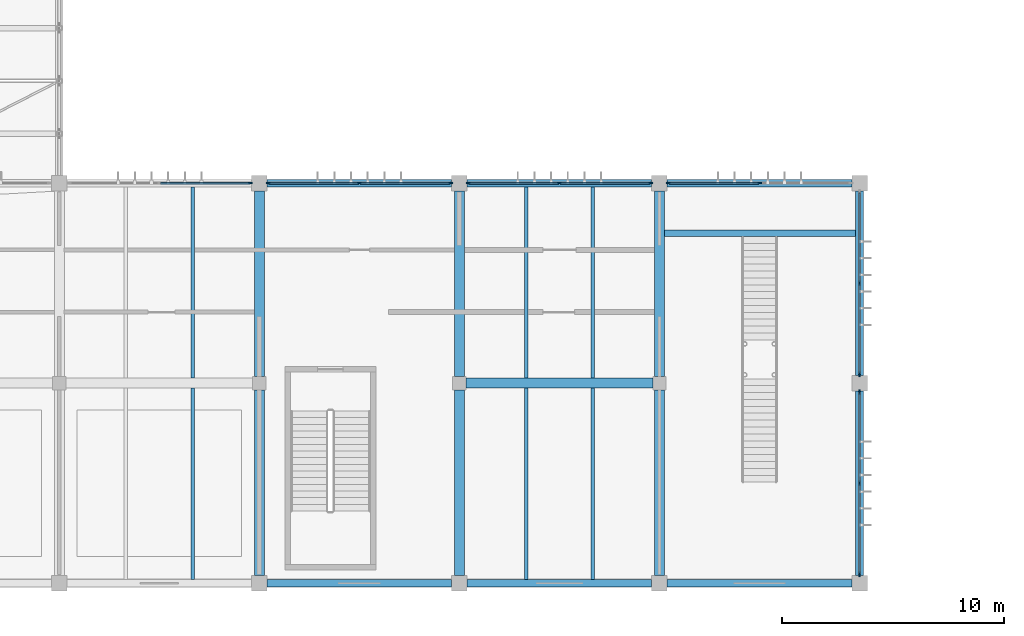
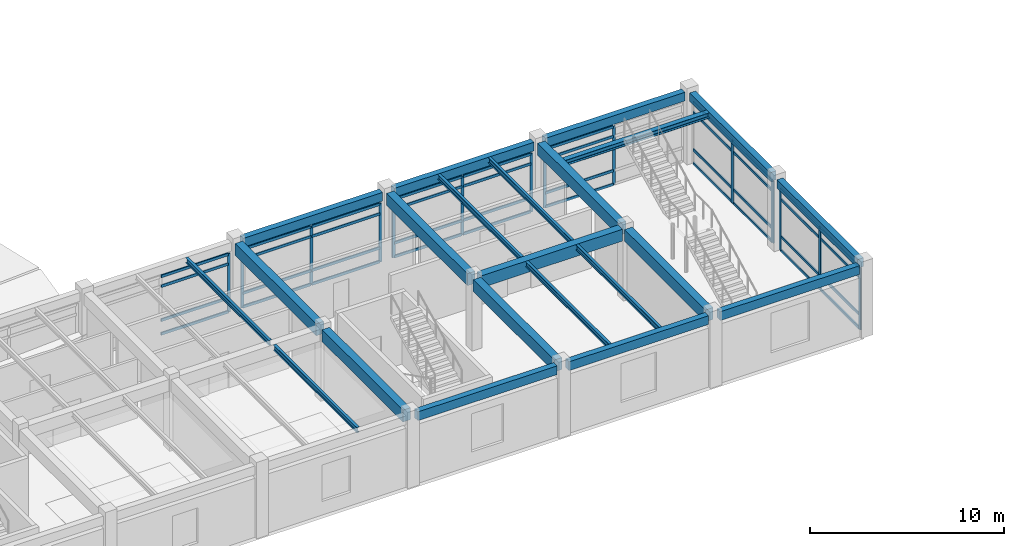
# One storey, part 13 of 61: 54 members, 22 beams, 6 elements without a shape of their own.
"""IFC4 building model written with IfcOpenShell, lengths in metres."""

from ifc_helpers import new_model, si_unit, direction, frame, origin, origin_2d, place, context, subcontext, project, spatial, rectangle, i_section, extrude, material, material_profile, profile_set, type_object, element, aggregate, save


model = new_model("IFC4")

# Units and contexts
model_context = context("Model", 3, precision=1e-05, world=origin(), true_north=direction((0.0, 1.0)))
body_context = subcontext(model_context, "Body", "Model", "MODEL_VIEW")
ifc_project = project(units=[si_unit("LENGTHUNIT", "METRE"), si_unit("AREAUNIT", "SQUARE_METRE"), si_unit("VOLUMEUNIT", "CUBIC_METRE"), si_unit("PLANEANGLEUNIT", "RADIAN"), si_unit("MASSUNIT", "GRAM", prefix="KILO")], contexts=[model_context])

# Site, building, storey
site_placement = place(None, origin())
site = spatial("IfcSite", under=ifc_project, at=site_placement, CompositionType="ELEMENT")
building_placement = place(site_placement, origin())
building = spatial("IfcBuilding", under=site, at=building_placement, Name="Bozkorgan Art Gallery", CompositionType="ELEMENT")
storey_placement = place(building_placement, frame((0.0, 0.0, 10.199951171875)))
storey = spatial("IfcBuildingStorey", under=building, at=storey_placement, Name="L02", CompositionType="ELEMENT", Elevation=10.199951171875)

# Beams
ifc_material_1 = material(Name="Concrete C35/45", Category="concrete")
ifc_material_profile_1 = material_profile(ifc_material_1, rectangle(XDim=0.449951171875, YDim=0.75, at=origin_2d()), Name="RC 450x750")
ifc_profile_set_1 = profile_set([ifc_material_profile_1], Name="Concrete C35/45")
beam_type_1 = type_object("IfcBeamType", Name="BEAM-BM-27", PredefinedType="BEAM", material=ifc_profile_set_1)
beam_1_placement = place(storey_placement, frame((47.300048828125, 11.0, 4.10498046875), z_axis=(1.0, 0.0, 0.0), x_axis=(0.0, 1.0, 0.0)))
element("IfcBeam", 1, at=beam_1_placement, inside=storey, type_object=beam_type_1, Name="V1 L02 beam X (47-56, 11.0)", PredefinedType="BEAM", context=body_context, shape_type="SweptSolid", body=[
    extrude(rectangle(XDim=0.449951171875, YDim=0.75, at=origin_2d()), origin(), (0.0, 0.0, 1.0), 8.39990234375),
])
for number, where, z_axis, x_axis, name in (
    (2, (38.0, 2.35009765625, 4.10498046875), (0.0, 1.0, 0.0), (-1.0, 0.0, 0.0), "V1 L02 beam Y (38, 2.0-11.0)"),
    (3, (38.0, 11.300048828125, 4.10498046875), (0.0, 1.0, 0.0), (-1.0, 0.0, 0.0), "V1 L02 beam Y (38, 11.0-20.0)"),
    (4, (47.0, 2.35009765625, 4.10498046875), (0.0, 1.0, 0.0), (-1.0, 0.0, 0.0), "V1 L02 beam Y (47, 2.0-11.0)"),
    (5, (47.0, 11.300048828125, 4.10498046875), (0.0, 1.0, 0.0), (-1.0, 0.0, 0.0), "V1 L02 beam Y (47, 11.0-20.0)"),
    (6, (56.0, 2.35009765625, 4.10498046875), (0.0, 1.0, 0.0), (-1.0, 0.0, 0.0), "V1 L02 beam Y (56, 2.0-11.0)"),
    (7, (56.0, 11.300048828125, 4.10498046875), (0.0, 1.0, 0.0), (-1.0, 0.0, 0.0), "V1 L02 beam Y (56, 11.0-20.0)"),
):
    element("IfcBeam", number, at=place(storey_placement, frame(where, z_axis=z_axis, x_axis=x_axis)), inside=storey, type_object=beam_type_1, Name=name, PredefinedType="BEAM", context=body_context, shape_type="SweptSolid", body=[
        extrude(rectangle(XDim=0.449951171875, YDim=0.75, at=origin_2d()), origin(), (0.0, 0.0, 1.0), 8.349853515625),
    ])
ifc_material_2 = material(Name="Steel S355J2", Category="steel")
ifc_material_profile_2 = material_profile(ifc_material_2, i_section(OverallWidth=0.159912109375, OverallDepth=0.330078125, WebThickness=0.007568359375, FlangeThickness=0.011474609375, FilletRadius=0.01806640625, at=origin_2d()), Name="IPE 330")
ifc_profile_set_2 = profile_set([ifc_material_profile_2], Name="Steel S355J2")
beam_type_2 = type_object("IfcBeamType", Name="BEAM-JS-33", PredefinedType="JOIST", material=ifc_profile_set_2)
for number, where, z_axis, x_axis, name in (
    (8, (35.0, 2.175048828125, 4.31494140625), (0.0, 1.0, 0.0), (-1.0, 0.0, 0.0), "V1 L02 secondary joist (29-38, 2.0-11.0) #2"),
    (9, (35.0, 11.22509765625, 4.31494140625), (0.0, 1.0, 0.0), (-1.0, 0.0, 0.0), "V1 L02 secondary joist (29-38, 11.0-20.0) #2"),
    (10, (50.0, 2.175048828125, 4.31494140625), (0.0, 1.0, 0.0), (-1.0, 0.0, 0.0), "V1 L02 secondary joist (47-56, 2.0-11.0) #1"),
    (11, (53.0, 2.175048828125, 4.31494140625), (0.0, 1.0, 0.0), (-1.0, 0.0, 0.0), "V1 L02 secondary joist (47-56, 2.0-11.0) #2"),
    (12, (50.0, 11.22509765625, 4.31494140625), (0.0, 1.0, 0.0), (-1.0, 0.0, 0.0), "V1 L02 secondary joist (47-56, 11.0-20.0) #1"),
    (13, (53.0, 11.22509765625, 4.31494140625), (0.0, 1.0, 0.0), (-1.0, 0.0, 0.0), "V1 L02 secondary joist (47-56, 11.0-20.0) #2"),
):
    element("IfcBeam", number, at=place(storey_placement, frame(where, z_axis=z_axis, x_axis=x_axis)), inside=storey, type_object=beam_type_2, Name=name, PredefinedType="JOIST", context=body_context, shape_type="SweptSolid", body=[
        extrude(i_section(OverallWidth=0.159912109375, OverallDepth=0.330078125, WebThickness=0.007568359375, FlangeThickness=0.011474609375, FilletRadius=0.01806640625, at=origin_2d()), origin(), (0.0, 0.0, 1.0), 8.599853515625),
    ])
ifc_material_profile_3 = material_profile(ifc_material_1, rectangle(XDim=0.35009765625, YDim=0.550048828125, at=origin_2d()), Name="RC 350x550")
ifc_profile_set_3 = profile_set([ifc_material_profile_3], Name="Concrete C35/45")
beam_type_3 = type_object("IfcBeamType", Name="BEAM-SP-49", PredefinedType="SPANDREL", material=ifc_profile_set_3)
for number, where, z_axis, x_axis, name in (
    (14, (38.35009765625, 2.0, 4.205078125), (1.0, 0.0, 0.0), (0.0, 1.0, 0.0), "V1 L02 spandrel X (38-47, 2.0)"),
    (15, (47.35009765625, 2.0, 4.205078125), (1.0, 0.0, 0.0), (0.0, 1.0, 0.0), "V1 L02 spandrel X (47-56, 2.0)"),
    (16, (56.35009765625, 2.0, 4.205078125), (1.0, 0.0, 0.0), (0.0, 1.0, 0.0), "V1 L02 spandrel X (56-65, 2.0)"),
    (17, (38.35009765625, 20.0, 4.205078125), (1.0, 0.0, 0.0), (0.0, 1.0, 0.0), "V1 L02 spandrel X (38-47, 20.0)"),
    (18, (47.35009765625, 20.0, 4.205078125), (1.0, 0.0, 0.0), (0.0, 1.0, 0.0), "V1 L02 spandrel X (47-56, 20.0)"),
    (19, (56.35009765625, 20.0, 4.205078125), (1.0, 0.0, 0.0), (0.0, 1.0, 0.0), "V1 L02 spandrel X (56-65, 20.0)"),
    (20, (65.0, 2.35009765625, 4.205078125), (0.0, 1.0, 0.0), (-1.0, 0.0, 0.0), "V1 L02 spandrel Y (65, 2.0-11.0)"),
    (21, (65.0, 11.35009765625, 4.205078125), (0.0, 1.0, 0.0), (-1.0, 0.0, 0.0), "V1 L02 spandrel Y (65, 11.0-20.0)"),
):
    element("IfcBeam", number, at=place(storey_placement, frame(where, z_axis=z_axis, x_axis=x_axis)), inside=storey, type_object=beam_type_3, Name=name, PredefinedType="SPANDREL", context=body_context, shape_type="SweptSolid", body=[
        extrude(rectangle(XDim=0.35009765625, YDim=0.550048828125, at=origin_2d()), origin(), (0.0, 0.0, 1.0), 8.2998046875),
    ])
ifc_material_profile_4 = material_profile(ifc_material_2, i_section(OverallWidth=0.300048828125, OverallDepth=0.35009765625, WebThickness=0.010009765625, FlangeThickness=0.017578125, FilletRadius=0.027099609375, at=origin_2d()), Name="HEA 360")
ifc_profile_set_4 = profile_set([ifc_material_profile_4], Name="Steel S355J2")
beam_type_4 = type_object("IfcBeamType", Name="BM-ATR-TRIM", PredefinedType="BEAM", material=ifc_profile_set_4)
beam_2_placement = place(storey_placement, frame((56.22509765625, 17.75, 4.304931640625), z_axis=(1.0, 0.0, 0.0), x_axis=(0.0, 1.0, 0.0)))
element("IfcBeam", 22, at=beam_2_placement, inside=storey, type_object=beam_type_4, Name="ST8 upper arrival trimmer beam", PredefinedType="BEAM", context=body_context, shape_type="SweptSolid", body=[
    extrude(i_section(OverallWidth=0.300048828125, OverallDepth=0.35009765625, WebThickness=0.010009765625, FlangeThickness=0.017578125, FilletRadius=0.027099609375, at=origin_2d()), origin(), (0.0, 0.0, 1.0), 8.599853515625),
])

# Curtain wall, member
ifc_material_3 = material(Name="Anodised Bronze Aluminium", Category="aluminium")
curtain_wall_type_1 = type_object("IfcCurtainWallType", Name="CW-CW-01", PredefinedType="NOTDEFINED", material=ifc_material_3)
curtain_wall_1_placement = place(storey_placement, origin())
curtain_wall_1 = element("IfcCurtainWall", 23, at=curtain_wall_1_placement, inside=storey, type_object=curtain_wall_type_1, Name="L02 unitised curtain wall CW-V1-L02-1N-08", PredefinedType="NOTDEFINED")
ifc_material_profile_5 = material_profile(ifc_material_3, rectangle(XDim=0.06494140625, YDim=0.179931640625, at=origin_2d()), Name="ALU MULLION 65x180")
ifc_profile_set_5 = profile_set([ifc_material_profile_5], Name="Anodised Bronze Aluminium")
member_type_1 = type_object("IfcMemberType", Name="CWM-01", PredefinedType="MULLION", material=ifc_profile_set_5)
member_1_placement = place(storey_placement, frame((37.6025390625, 20.0, 0.02001953125), z_axis=(0.0, 0.0, 1.0), x_axis=(0.0, 1.0, 0.0)))
member_1 = element("IfcMember", 24, at=member_1_placement, type_object=member_type_1, Name="CW-01 mullion 3", PredefinedType="MULLION", context=body_context, shape_type="SweptSolid", body=[
    extrude(rectangle(XDim=0.06494140625, YDim=0.179931640625, at=origin_2d()), origin(), (0.0, 0.0, 1.0), 3.695068359375),
])

# Curtain wall, members
curtain_wall_type_2 = type_object("IfcCurtainWallType", Name="CW-CW-61", PredefinedType="NOTDEFINED", material=ifc_material_3)
curtain_wall_2_placement = place(storey_placement, origin())
curtain_wall_2 = element("IfcCurtainWall", 25, at=curtain_wall_2_placement, inside=storey, type_object=curtain_wall_type_2, Name="L02 unitised curtain wall CW-V1-L02-1N-10", PredefinedType="NOTDEFINED")
member_2_placement = place(storey_placement, frame((38.3974609375, 20.0, 0.02001953125), z_axis=(0.0, 0.0, 1.0), x_axis=(0.0, 1.0, 0.0)))
member_2 = element("IfcMember", 26, at=member_2_placement, type_object=member_type_1, Name="CW-61 mullion 1", PredefinedType="MULLION", context=body_context, shape_type="SweptSolid", body=[
    extrude(rectangle(XDim=0.06494140625, YDim=0.179931640625, at=origin_2d()), origin(), (0.0, 0.0, 1.0), 3.695068359375),
])
member_3_placement = place(storey_placement, frame((42.5, 20.0, 0.02001953125), z_axis=(0.0, 0.0, 1.0), x_axis=(0.0, 1.0, 0.0)))
member_3 = element("IfcMember", 27, at=member_3_placement, type_object=member_type_1, Name="CW-61 mullion 2", PredefinedType="MULLION", context=body_context, shape_type="SweptSolid", body=[
    extrude(rectangle(XDim=0.06494140625, YDim=0.179931640625, at=origin_2d()), origin(), (0.0, 0.0, 1.0), 3.695068359375),
])
member_4_placement = place(storey_placement, frame((46.6025390625, 20.0, 0.02001953125), z_axis=(0.0, 0.0, 1.0), x_axis=(0.0, 1.0, 0.0)))
member_4 = element("IfcMember", 28, at=member_4_placement, type_object=member_type_1, Name="CW-61 mullion 3", PredefinedType="MULLION", context=body_context, shape_type="SweptSolid", body=[
    extrude(rectangle(XDim=0.06494140625, YDim=0.179931640625, at=origin_2d()), origin(), (0.0, 0.0, 1.0), 3.695068359375),
])

curtain_wall_3_placement = place(storey_placement, origin())
curtain_wall_3 = element("IfcCurtainWall", 29, at=curtain_wall_3_placement, inside=storey, type_object=curtain_wall_type_2, Name="L02 unitised curtain wall CW-V1-L02-1N-12", PredefinedType="NOTDEFINED")
member_5_placement = place(storey_placement, frame((47.3974609375, 20.0, 0.02001953125), z_axis=(0.0, 0.0, 1.0), x_axis=(0.0, 1.0, 0.0)))
member_5 = element("IfcMember", 30, at=member_5_placement, type_object=member_type_1, Name="CW-61 mullion 1", PredefinedType="MULLION", context=body_context, shape_type="SweptSolid", body=[
    extrude(rectangle(XDim=0.06494140625, YDim=0.179931640625, at=origin_2d()), origin(), (0.0, 0.0, 1.0), 3.695068359375),
])
member_6_placement = place(storey_placement, frame((51.5, 20.0, 0.02001953125), z_axis=(0.0, 0.0, 1.0), x_axis=(0.0, 1.0, 0.0)))
member_6 = element("IfcMember", 31, at=member_6_placement, type_object=member_type_1, Name="CW-61 mullion 2", PredefinedType="MULLION", context=body_context, shape_type="SweptSolid", body=[
    extrude(rectangle(XDim=0.06494140625, YDim=0.179931640625, at=origin_2d()), origin(), (0.0, 0.0, 1.0), 3.695068359375),
])
member_7_placement = place(storey_placement, frame((55.6025390625, 20.0, 0.02001953125), z_axis=(0.0, 0.0, 1.0), x_axis=(0.0, 1.0, 0.0)))
member_7 = element("IfcMember", 32, at=member_7_placement, type_object=member_type_1, Name="CW-61 mullion 3", PredefinedType="MULLION", context=body_context, shape_type="SweptSolid", body=[
    extrude(rectangle(XDim=0.06494140625, YDim=0.179931640625, at=origin_2d()), origin(), (0.0, 0.0, 1.0), 3.695068359375),
])

curtain_wall_4_placement = place(storey_placement, origin())
curtain_wall_4 = element("IfcCurtainWall", 33, at=curtain_wall_4_placement, inside=storey, type_object=curtain_wall_type_2, Name="L02 unitised curtain wall CW-V1-L02-1N-14", PredefinedType="NOTDEFINED")
member_8_placement = place(storey_placement, frame((56.3974609375, 20.0, 0.02001953125), z_axis=(0.0, 0.0, 1.0), x_axis=(0.0, 1.0, 0.0)))
member_8 = element("IfcMember", 34, at=member_8_placement, type_object=member_type_1, Name="CW-61 mullion 1", PredefinedType="MULLION", context=body_context, shape_type="SweptSolid", body=[
    extrude(rectangle(XDim=0.06494140625, YDim=0.179931640625, at=origin_2d()), origin(), (0.0, 0.0, 1.0), 3.695068359375),
])
member_9_placement = place(storey_placement, frame((60.5, 20.0, 0.02001953125), z_axis=(0.0, 0.0, 1.0), x_axis=(0.0, 1.0, 0.0)))
member_9 = element("IfcMember", 35, at=member_9_placement, type_object=member_type_1, Name="CW-61 mullion 2", PredefinedType="MULLION", context=body_context, shape_type="SweptSolid", body=[
    extrude(rectangle(XDim=0.06494140625, YDim=0.179931640625, at=origin_2d()), origin(), (0.0, 0.0, 1.0), 3.695068359375),
])

curtain_wall_type_3 = type_object("IfcCurtainWallType", Name="CW-CW-11", PredefinedType="NOTDEFINED", material=ifc_material_3)
curtain_wall_5_placement = place(storey_placement, origin())
curtain_wall_5 = element("IfcCurtainWall", 36, at=curtain_wall_5_placement, inside=storey, type_object=curtain_wall_type_3, Name="L02 unitised curtain wall CW-V1-L02-1E-16", PredefinedType="NOTDEFINED")
ifc_material_profile_6 = material_profile(ifc_material_3, rectangle(XDim=0.074951171875, YDim=0.219970703125, at=origin_2d()), Name="ALU MULLION 75x220")
ifc_profile_set_6 = profile_set([ifc_material_profile_6], Name="Anodised Bronze Aluminium")
member_type_2 = type_object("IfcMemberType", Name="CWM-02", PredefinedType="MULLION", material=ifc_profile_set_6)
member_10_placement = place(storey_placement, frame((65.0, 2.402587890625, 0.02001953125), z_axis=(0.0, 0.0, 1.0), x_axis=(-1.0, 0.0, 0.0)))
member_10 = element("IfcMember", 37, at=member_10_placement, type_object=member_type_2, Name="CW-11 mullion 1", PredefinedType="MULLION", context=body_context, shape_type="SweptSolid", body=[
    extrude(rectangle(XDim=0.074951171875, YDim=0.219970703125, at=origin_2d()), origin(), (0.0, 0.0, 1.0), 3.89501953125),
])
member_11_placement = place(storey_placement, frame((65.0, 6.5, 0.02001953125), z_axis=(0.0, 0.0, 1.0), x_axis=(-1.0, 0.0, 0.0)))
member_11 = element("IfcMember", 38, at=member_11_placement, type_object=member_type_2, Name="CW-11 mullion 2", PredefinedType="MULLION", context=body_context, shape_type="SweptSolid", body=[
    extrude(rectangle(XDim=0.074951171875, YDim=0.219970703125, at=origin_2d()), origin(), (0.0, 0.0, 1.0), 3.89501953125),
])
member_12_placement = place(storey_placement, frame((65.0, 10.597412109375, 0.02001953125), z_axis=(0.0, 0.0, 1.0), x_axis=(-1.0, 0.0, 0.0)))
member_12 = element("IfcMember", 39, at=member_12_placement, type_object=member_type_2, Name="CW-11 mullion 3", PredefinedType="MULLION", context=body_context, shape_type="SweptSolid", body=[
    extrude(rectangle(XDim=0.074951171875, YDim=0.219970703125, at=origin_2d()), origin(), (0.0, 0.0, 1.0), 3.89501953125),
])

curtain_wall_6_placement = place(storey_placement, origin())
curtain_wall_6 = element("IfcCurtainWall", 40, at=curtain_wall_6_placement, inside=storey, type_object=curtain_wall_type_3, Name="L02 unitised curtain wall CW-V1-L02-1E-18", PredefinedType="NOTDEFINED")
member_13_placement = place(storey_placement, frame((65.0, 11.402587890625, 0.02001953125), z_axis=(0.0, 0.0, 1.0), x_axis=(-1.0, 0.0, 0.0)))
member_13 = element("IfcMember", 41, at=member_13_placement, type_object=member_type_2, Name="CW-11 mullion 1", PredefinedType="MULLION", context=body_context, shape_type="SweptSolid", body=[
    extrude(rectangle(XDim=0.074951171875, YDim=0.219970703125, at=origin_2d()), origin(), (0.0, 0.0, 1.0), 3.89501953125),
])
member_14_placement = place(storey_placement, frame((65.0, 15.5, 0.02001953125), z_axis=(0.0, 0.0, 1.0), x_axis=(-1.0, 0.0, 0.0)))
member_14 = element("IfcMember", 42, at=member_14_placement, type_object=member_type_2, Name="CW-11 mullion 2", PredefinedType="MULLION", context=body_context, shape_type="SweptSolid", body=[
    extrude(rectangle(XDim=0.074951171875, YDim=0.219970703125, at=origin_2d()), origin(), (0.0, 0.0, 1.0), 3.89501953125),
])

# Member
ifc_material_profile_7 = material_profile(ifc_material_3, rectangle(XDim=0.074951171875, YDim=0.169921875, at=origin_2d()), Name="ALU TRANSOM 75x170")
ifc_profile_set_7 = profile_set([ifc_material_profile_7], Name="Anodised Bronze Aluminium")
member_type_3 = type_object("IfcMemberType", Name="CWT-02", PredefinedType="USERDEFINED", material=ifc_profile_set_7)
member_15_placement = place(storey_placement, frame((33.5576171875, 20.0, 0.0576171875), z_axis=(1.0, 0.0, 0.0), x_axis=(0.0, 1.0, 0.0)))
member_15 = element("IfcMember", 43, at=member_15_placement, type_object=member_type_3, Name="CW-01 transom 2.1", ObjectType="TRANSOM", PredefinedType="USERDEFINED", context=body_context, shape_type="SweptSolid", body=[
    extrude(rectangle(XDim=0.074951171875, YDim=0.169921875, at=origin_2d()), origin(), (0.0, 0.0, 1.0), 4.012451171875),
])

member_16_placement = place(storey_placement, frame((33.5576171875, 20.0, 0.920166015625), z_axis=(1.0, 0.0, 0.0), x_axis=(0.0, 1.0, 0.0)))
member_16 = element("IfcMember", 44, at=member_16_placement, type_object=member_type_3, Name="CW-01 transom 2.2", ObjectType="TRANSOM", PredefinedType="USERDEFINED", context=body_context, shape_type="SweptSolid", body=[
    extrude(rectangle(XDim=0.074951171875, YDim=0.169921875, at=origin_2d()), origin(), (0.0, 0.0, 1.0), 4.012451171875),
])

member_17_placement = place(storey_placement, frame((33.5576171875, 20.0, 3.06494140625), z_axis=(1.0, 0.0, 0.0), x_axis=(0.0, 1.0, 0.0)))
member_17 = element("IfcMember", 45, at=member_17_placement, type_object=member_type_3, Name="CW-01 transom 2.3", ObjectType="TRANSOM", PredefinedType="USERDEFINED", context=body_context, shape_type="SweptSolid", body=[
    extrude(rectangle(XDim=0.074951171875, YDim=0.169921875, at=origin_2d()), origin(), (0.0, 0.0, 1.0), 4.012451171875),
])

member_18_placement = place(storey_placement, frame((33.5576171875, 20.0, 3.677490234375), z_axis=(1.0, 0.0, 0.0), x_axis=(0.0, 1.0, 0.0)))
member_18 = element("IfcMember", 46, at=member_18_placement, type_object=member_type_3, Name="CW-01 transom 2.4", ObjectType="TRANSOM", PredefinedType="USERDEFINED", context=body_context, shape_type="SweptSolid", body=[
    extrude(rectangle(XDim=0.074951171875, YDim=0.169921875, at=origin_2d()), origin(), (0.0, 0.0, 1.0), 4.012451171875),
])

aggregate(curtain_wall_1, [member_1, member_15, member_16, member_17, member_18])

member_19_placement = place(storey_placement, frame((38.429931640625, 20.0, 0.0576171875), z_axis=(1.0, 0.0, 0.0), x_axis=(0.0, 1.0, 0.0)))
member_19 = element("IfcMember", 47, at=member_19_placement, type_object=member_type_3, Name="CW-61 transom 1.1", ObjectType="TRANSOM", PredefinedType="USERDEFINED", context=body_context, shape_type="SweptSolid", body=[
    extrude(rectangle(XDim=0.074951171875, YDim=0.169921875, at=origin_2d()), origin(), (0.0, 0.0, 1.0), 4.03759765625),
])

member_20_placement = place(storey_placement, frame((38.429931640625, 20.0, 0.920166015625), z_axis=(1.0, 0.0, 0.0), x_axis=(0.0, 1.0, 0.0)))
member_20 = element("IfcMember", 48, at=member_20_placement, type_object=member_type_3, Name="CW-61 transom 1.2", ObjectType="TRANSOM", PredefinedType="USERDEFINED", context=body_context, shape_type="SweptSolid", body=[
    extrude(rectangle(XDim=0.074951171875, YDim=0.169921875, at=origin_2d()), origin(), (0.0, 0.0, 1.0), 4.03759765625),
])

member_21_placement = place(storey_placement, frame((38.429931640625, 20.0, 3.06494140625), z_axis=(1.0, 0.0, 0.0), x_axis=(0.0, 1.0, 0.0)))
member_21 = element("IfcMember", 49, at=member_21_placement, type_object=member_type_3, Name="CW-61 transom 1.3", ObjectType="TRANSOM", PredefinedType="USERDEFINED", context=body_context, shape_type="SweptSolid", body=[
    extrude(rectangle(XDim=0.074951171875, YDim=0.169921875, at=origin_2d()), origin(), (0.0, 0.0, 1.0), 4.03759765625),
])

member_22_placement = place(storey_placement, frame((38.429931640625, 20.0, 3.677490234375), z_axis=(1.0, 0.0, 0.0), x_axis=(0.0, 1.0, 0.0)))
member_22 = element("IfcMember", 50, at=member_22_placement, type_object=member_type_3, Name="CW-61 transom 1.4", ObjectType="TRANSOM", PredefinedType="USERDEFINED", context=body_context, shape_type="SweptSolid", body=[
    extrude(rectangle(XDim=0.074951171875, YDim=0.169921875, at=origin_2d()), origin(), (0.0, 0.0, 1.0), 4.03759765625),
])

member_23_placement = place(storey_placement, frame((42.532470703125, 20.0, 0.0576171875), z_axis=(1.0, 0.0, 0.0), x_axis=(0.0, 1.0, 0.0)))
member_23 = element("IfcMember", 51, at=member_23_placement, type_object=member_type_3, Name="CW-61 transom 2.1", ObjectType="TRANSOM", PredefinedType="USERDEFINED", context=body_context, shape_type="SweptSolid", body=[
    extrude(rectangle(XDim=0.074951171875, YDim=0.169921875, at=origin_2d()), origin(), (0.0, 0.0, 1.0), 4.03759765625),
])

member_24_placement = place(storey_placement, frame((42.532470703125, 20.0, 0.920166015625), z_axis=(1.0, 0.0, 0.0), x_axis=(0.0, 1.0, 0.0)))
member_24 = element("IfcMember", 52, at=member_24_placement, type_object=member_type_3, Name="CW-61 transom 2.2", ObjectType="TRANSOM", PredefinedType="USERDEFINED", context=body_context, shape_type="SweptSolid", body=[
    extrude(rectangle(XDim=0.074951171875, YDim=0.169921875, at=origin_2d()), origin(), (0.0, 0.0, 1.0), 4.03759765625),
])

member_25_placement = place(storey_placement, frame((42.532470703125, 20.0, 3.06494140625), z_axis=(1.0, 0.0, 0.0), x_axis=(0.0, 1.0, 0.0)))
member_25 = element("IfcMember", 53, at=member_25_placement, type_object=member_type_3, Name="CW-61 transom 2.3", ObjectType="TRANSOM", PredefinedType="USERDEFINED", context=body_context, shape_type="SweptSolid", body=[
    extrude(rectangle(XDim=0.074951171875, YDim=0.169921875, at=origin_2d()), origin(), (0.0, 0.0, 1.0), 4.03759765625),
])

member_26_placement = place(storey_placement, frame((42.532470703125, 20.0, 3.677490234375), z_axis=(1.0, 0.0, 0.0), x_axis=(0.0, 1.0, 0.0)))
member_26 = element("IfcMember", 54, at=member_26_placement, type_object=member_type_3, Name="CW-61 transom 2.4", ObjectType="TRANSOM", PredefinedType="USERDEFINED", context=body_context, shape_type="SweptSolid", body=[
    extrude(rectangle(XDim=0.074951171875, YDim=0.169921875, at=origin_2d()), origin(), (0.0, 0.0, 1.0), 4.03759765625),
])

aggregate(curtain_wall_2, [member_2, member_3, member_4, member_19, member_20, member_21, member_22, member_23, member_24, member_25, member_26])

member_27_placement = place(storey_placement, frame((47.429931640625, 20.0, 0.0576171875), z_axis=(1.0, 0.0, 0.0), x_axis=(0.0, 1.0, 0.0)))
member_27 = element("IfcMember", 55, at=member_27_placement, type_object=member_type_3, Name="CW-61 transom 1.1", ObjectType="TRANSOM", PredefinedType="USERDEFINED", context=body_context, shape_type="SweptSolid", body=[
    extrude(rectangle(XDim=0.074951171875, YDim=0.169921875, at=origin_2d()), origin(), (0.0, 0.0, 1.0), 4.03759765625),
])

member_28_placement = place(storey_placement, frame((47.429931640625, 20.0, 0.920166015625), z_axis=(1.0, 0.0, 0.0), x_axis=(0.0, 1.0, 0.0)))
member_28 = element("IfcMember", 56, at=member_28_placement, type_object=member_type_3, Name="CW-61 transom 1.2", ObjectType="TRANSOM", PredefinedType="USERDEFINED", context=body_context, shape_type="SweptSolid", body=[
    extrude(rectangle(XDim=0.074951171875, YDim=0.169921875, at=origin_2d()), origin(), (0.0, 0.0, 1.0), 4.03759765625),
])

member_29_placement = place(storey_placement, frame((47.429931640625, 20.0, 3.06494140625), z_axis=(1.0, 0.0, 0.0), x_axis=(0.0, 1.0, 0.0)))
member_29 = element("IfcMember", 57, at=member_29_placement, type_object=member_type_3, Name="CW-61 transom 1.3", ObjectType="TRANSOM", PredefinedType="USERDEFINED", context=body_context, shape_type="SweptSolid", body=[
    extrude(rectangle(XDim=0.074951171875, YDim=0.169921875, at=origin_2d()), origin(), (0.0, 0.0, 1.0), 4.03759765625),
])

member_30_placement = place(storey_placement, frame((47.429931640625, 20.0, 3.677490234375), z_axis=(1.0, 0.0, 0.0), x_axis=(0.0, 1.0, 0.0)))
member_30 = element("IfcMember", 58, at=member_30_placement, type_object=member_type_3, Name="CW-61 transom 1.4", ObjectType="TRANSOM", PredefinedType="USERDEFINED", context=body_context, shape_type="SweptSolid", body=[
    extrude(rectangle(XDim=0.074951171875, YDim=0.169921875, at=origin_2d()), origin(), (0.0, 0.0, 1.0), 4.03759765625),
])

member_31_placement = place(storey_placement, frame((51.532470703125, 20.0, 0.0576171875), z_axis=(1.0, 0.0, 0.0), x_axis=(0.0, 1.0, 0.0)))
member_31 = element("IfcMember", 59, at=member_31_placement, type_object=member_type_3, Name="CW-61 transom 2.1", ObjectType="TRANSOM", PredefinedType="USERDEFINED", context=body_context, shape_type="SweptSolid", body=[
    extrude(rectangle(XDim=0.074951171875, YDim=0.169921875, at=origin_2d()), origin(), (0.0, 0.0, 1.0), 4.03759765625),
])

member_32_placement = place(storey_placement, frame((51.532470703125, 20.0, 0.920166015625), z_axis=(1.0, 0.0, 0.0), x_axis=(0.0, 1.0, 0.0)))
member_32 = element("IfcMember", 60, at=member_32_placement, type_object=member_type_3, Name="CW-61 transom 2.2", ObjectType="TRANSOM", PredefinedType="USERDEFINED", context=body_context, shape_type="SweptSolid", body=[
    extrude(rectangle(XDim=0.074951171875, YDim=0.169921875, at=origin_2d()), origin(), (0.0, 0.0, 1.0), 4.03759765625),
])

member_33_placement = place(storey_placement, frame((51.532470703125, 20.0, 3.06494140625), z_axis=(1.0, 0.0, 0.0), x_axis=(0.0, 1.0, 0.0)))
member_33 = element("IfcMember", 61, at=member_33_placement, type_object=member_type_3, Name="CW-61 transom 2.3", ObjectType="TRANSOM", PredefinedType="USERDEFINED", context=body_context, shape_type="SweptSolid", body=[
    extrude(rectangle(XDim=0.074951171875, YDim=0.169921875, at=origin_2d()), origin(), (0.0, 0.0, 1.0), 4.03759765625),
])

member_34_placement = place(storey_placement, frame((51.532470703125, 20.0, 3.677490234375), z_axis=(1.0, 0.0, 0.0), x_axis=(0.0, 1.0, 0.0)))
member_34 = element("IfcMember", 62, at=member_34_placement, type_object=member_type_3, Name="CW-61 transom 2.4", ObjectType="TRANSOM", PredefinedType="USERDEFINED", context=body_context, shape_type="SweptSolid", body=[
    extrude(rectangle(XDim=0.074951171875, YDim=0.169921875, at=origin_2d()), origin(), (0.0, 0.0, 1.0), 4.03759765625),
])

aggregate(curtain_wall_3, [member_5, member_6, member_7, member_27, member_28, member_29, member_30, member_31, member_32, member_33, member_34])

member_35_placement = place(storey_placement, frame((56.429931640625, 20.0, 0.0576171875), z_axis=(1.0, 0.0, 0.0), x_axis=(0.0, 1.0, 0.0)))
member_35 = element("IfcMember", 63, at=member_35_placement, type_object=member_type_3, Name="CW-61 transom 1.1", ObjectType="TRANSOM", PredefinedType="USERDEFINED", context=body_context, shape_type="SweptSolid", body=[
    extrude(rectangle(XDim=0.074951171875, YDim=0.169921875, at=origin_2d()), origin(), (0.0, 0.0, 1.0), 4.03759765625),
])

member_36_placement = place(storey_placement, frame((56.429931640625, 20.0, 0.920166015625), z_axis=(1.0, 0.0, 0.0), x_axis=(0.0, 1.0, 0.0)))
member_36 = element("IfcMember", 64, at=member_36_placement, type_object=member_type_3, Name="CW-61 transom 1.2", ObjectType="TRANSOM", PredefinedType="USERDEFINED", context=body_context, shape_type="SweptSolid", body=[
    extrude(rectangle(XDim=0.074951171875, YDim=0.169921875, at=origin_2d()), origin(), (0.0, 0.0, 1.0), 4.03759765625),
])

member_37_placement = place(storey_placement, frame((56.429931640625, 20.0, 3.06494140625), z_axis=(1.0, 0.0, 0.0), x_axis=(0.0, 1.0, 0.0)))
member_37 = element("IfcMember", 65, at=member_37_placement, type_object=member_type_3, Name="CW-61 transom 1.3", ObjectType="TRANSOM", PredefinedType="USERDEFINED", context=body_context, shape_type="SweptSolid", body=[
    extrude(rectangle(XDim=0.074951171875, YDim=0.169921875, at=origin_2d()), origin(), (0.0, 0.0, 1.0), 4.03759765625),
])

member_38_placement = place(storey_placement, frame((56.429931640625, 20.0, 3.677490234375), z_axis=(1.0, 0.0, 0.0), x_axis=(0.0, 1.0, 0.0)))
member_38 = element("IfcMember", 66, at=member_38_placement, type_object=member_type_3, Name="CW-61 transom 1.4", ObjectType="TRANSOM", PredefinedType="USERDEFINED", context=body_context, shape_type="SweptSolid", body=[
    extrude(rectangle(XDim=0.074951171875, YDim=0.169921875, at=origin_2d()), origin(), (0.0, 0.0, 1.0), 4.03759765625),
])

aggregate(curtain_wall_4, [member_8, member_9, member_35, member_36, member_37, member_38])

member_39_placement = place(storey_placement, frame((65.0, 2.43994140625, 0.0576171875), z_axis=(0.0, 1.0, 0.0), x_axis=(-1.0, 0.0, 0.0)))
member_39 = element("IfcMember", 67, at=member_39_placement, type_object=member_type_3, Name="CW-11 transom 1.1", ObjectType="TRANSOM", PredefinedType="USERDEFINED", context=body_context, shape_type="SweptSolid", body=[
    extrude(rectangle(XDim=0.074951171875, YDim=0.169921875, at=origin_2d()), origin(), (0.0, 0.0, 1.0), 4.0224609375),
])

member_40_placement = place(storey_placement, frame((65.0, 2.43994140625, 0.920166015625), z_axis=(0.0, 1.0, 0.0), x_axis=(-1.0, 0.0, 0.0)))
member_40 = element("IfcMember", 68, at=member_40_placement, type_object=member_type_3, Name="CW-11 transom 1.2", ObjectType="TRANSOM", PredefinedType="USERDEFINED", context=body_context, shape_type="SweptSolid", body=[
    extrude(rectangle(XDim=0.074951171875, YDim=0.169921875, at=origin_2d()), origin(), (0.0, 0.0, 1.0), 4.0224609375),
])

member_41_placement = place(storey_placement, frame((65.0, 2.43994140625, 3.26513671875), z_axis=(0.0, 1.0, 0.0), x_axis=(-1.0, 0.0, 0.0)))
member_41 = element("IfcMember", 69, at=member_41_placement, type_object=member_type_3, Name="CW-11 transom 1.3", ObjectType="TRANSOM", PredefinedType="USERDEFINED", context=body_context, shape_type="SweptSolid", body=[
    extrude(rectangle(XDim=0.074951171875, YDim=0.169921875, at=origin_2d()), origin(), (0.0, 0.0, 1.0), 4.0224609375),
])

member_42_placement = place(storey_placement, frame((65.0, 2.43994140625, 3.87744140625), z_axis=(0.0, 1.0, 0.0), x_axis=(-1.0, 0.0, 0.0)))
member_42 = element("IfcMember", 70, at=member_42_placement, type_object=member_type_3, Name="CW-11 transom 1.4", ObjectType="TRANSOM", PredefinedType="USERDEFINED", context=body_context, shape_type="SweptSolid", body=[
    extrude(rectangle(XDim=0.074951171875, YDim=0.169921875, at=origin_2d()), origin(), (0.0, 0.0, 1.0), 4.0224609375),
])

member_43_placement = place(storey_placement, frame((65.0, 6.53759765625, 0.0576171875), z_axis=(0.0, 1.0, 0.0), x_axis=(-1.0, 0.0, 0.0)))
member_43 = element("IfcMember", 71, at=member_43_placement, type_object=member_type_3, Name="CW-11 transom 2.1", ObjectType="TRANSOM", PredefinedType="USERDEFINED", context=body_context, shape_type="SweptSolid", body=[
    extrude(rectangle(XDim=0.074951171875, YDim=0.169921875, at=origin_2d()), origin(), (0.0, 0.0, 1.0), 4.0224609375),
])

member_44_placement = place(storey_placement, frame((65.0, 6.53759765625, 0.920166015625), z_axis=(0.0, 1.0, 0.0), x_axis=(-1.0, 0.0, 0.0)))
member_44 = element("IfcMember", 72, at=member_44_placement, type_object=member_type_3, Name="CW-11 transom 2.2", ObjectType="TRANSOM", PredefinedType="USERDEFINED", context=body_context, shape_type="SweptSolid", body=[
    extrude(rectangle(XDim=0.074951171875, YDim=0.169921875, at=origin_2d()), origin(), (0.0, 0.0, 1.0), 4.0224609375),
])

member_45_placement = place(storey_placement, frame((65.0, 6.53759765625, 3.26513671875), z_axis=(0.0, 1.0, 0.0), x_axis=(-1.0, 0.0, 0.0)))
member_45 = element("IfcMember", 73, at=member_45_placement, type_object=member_type_3, Name="CW-11 transom 2.3", ObjectType="TRANSOM", PredefinedType="USERDEFINED", context=body_context, shape_type="SweptSolid", body=[
    extrude(rectangle(XDim=0.074951171875, YDim=0.169921875, at=origin_2d()), origin(), (0.0, 0.0, 1.0), 4.0224609375),
])

member_46_placement = place(storey_placement, frame((65.0, 6.53759765625, 3.87744140625), z_axis=(0.0, 1.0, 0.0), x_axis=(-1.0, 0.0, 0.0)))
member_46 = element("IfcMember", 74, at=member_46_placement, type_object=member_type_3, Name="CW-11 transom 2.4", ObjectType="TRANSOM", PredefinedType="USERDEFINED", context=body_context, shape_type="SweptSolid", body=[
    extrude(rectangle(XDim=0.074951171875, YDim=0.169921875, at=origin_2d()), origin(), (0.0, 0.0, 1.0), 4.0224609375),
])

aggregate(curtain_wall_5, [member_10, member_11, member_12, member_39, member_40, member_41, member_42, member_43, member_44, member_45, member_46])

member_47_placement = place(storey_placement, frame((65.0, 11.43994140625, 0.0576171875), z_axis=(0.0, 1.0, 0.0), x_axis=(-1.0, 0.0, 0.0)))
member_47 = element("IfcMember", 75, at=member_47_placement, type_object=member_type_3, Name="CW-11 transom 1.1", ObjectType="TRANSOM", PredefinedType="USERDEFINED", context=body_context, shape_type="SweptSolid", body=[
    extrude(rectangle(XDim=0.074951171875, YDim=0.169921875, at=origin_2d()), origin(), (0.0, 0.0, 1.0), 4.0224609375),
])

member_48_placement = place(storey_placement, frame((65.0, 11.43994140625, 0.920166015625), z_axis=(0.0, 1.0, 0.0), x_axis=(-1.0, 0.0, 0.0)))
member_48 = element("IfcMember", 76, at=member_48_placement, type_object=member_type_3, Name="CW-11 transom 1.2", ObjectType="TRANSOM", PredefinedType="USERDEFINED", context=body_context, shape_type="SweptSolid", body=[
    extrude(rectangle(XDim=0.074951171875, YDim=0.169921875, at=origin_2d()), origin(), (0.0, 0.0, 1.0), 4.0224609375),
])

member_49_placement = place(storey_placement, frame((65.0, 11.43994140625, 3.26513671875), z_axis=(0.0, 1.0, 0.0), x_axis=(-1.0, 0.0, 0.0)))
member_49 = element("IfcMember", 77, at=member_49_placement, type_object=member_type_3, Name="CW-11 transom 1.3", ObjectType="TRANSOM", PredefinedType="USERDEFINED", context=body_context, shape_type="SweptSolid", body=[
    extrude(rectangle(XDim=0.074951171875, YDim=0.169921875, at=origin_2d()), origin(), (0.0, 0.0, 1.0), 4.0224609375),
])

member_50_placement = place(storey_placement, frame((65.0, 11.43994140625, 3.87744140625), z_axis=(0.0, 1.0, 0.0), x_axis=(-1.0, 0.0, 0.0)))
member_50 = element("IfcMember", 78, at=member_50_placement, type_object=member_type_3, Name="CW-11 transom 1.4", ObjectType="TRANSOM", PredefinedType="USERDEFINED", context=body_context, shape_type="SweptSolid", body=[
    extrude(rectangle(XDim=0.074951171875, YDim=0.169921875, at=origin_2d()), origin(), (0.0, 0.0, 1.0), 4.0224609375),
])

member_51_placement = place(storey_placement, frame((65.0, 15.53759765625, 0.0576171875), z_axis=(0.0, 1.0, 0.0), x_axis=(-1.0, 0.0, 0.0)))
member_51 = element("IfcMember", 79, at=member_51_placement, type_object=member_type_3, Name="CW-11 transom 2.1", ObjectType="TRANSOM", PredefinedType="USERDEFINED", context=body_context, shape_type="SweptSolid", body=[
    extrude(rectangle(XDim=0.074951171875, YDim=0.169921875, at=origin_2d()), origin(), (0.0, 0.0, 1.0), 4.0224609375),
])

member_52_placement = place(storey_placement, frame((65.0, 15.53759765625, 0.920166015625), z_axis=(0.0, 1.0, 0.0), x_axis=(-1.0, 0.0, 0.0)))
member_52 = element("IfcMember", 80, at=member_52_placement, type_object=member_type_3, Name="CW-11 transom 2.2", ObjectType="TRANSOM", PredefinedType="USERDEFINED", context=body_context, shape_type="SweptSolid", body=[
    extrude(rectangle(XDim=0.074951171875, YDim=0.169921875, at=origin_2d()), origin(), (0.0, 0.0, 1.0), 4.0224609375),
])

member_53_placement = place(storey_placement, frame((65.0, 15.53759765625, 3.26513671875), z_axis=(0.0, 1.0, 0.0), x_axis=(-1.0, 0.0, 0.0)))
member_53 = element("IfcMember", 81, at=member_53_placement, type_object=member_type_3, Name="CW-11 transom 2.3", ObjectType="TRANSOM", PredefinedType="USERDEFINED", context=body_context, shape_type="SweptSolid", body=[
    extrude(rectangle(XDim=0.074951171875, YDim=0.169921875, at=origin_2d()), origin(), (0.0, 0.0, 1.0), 4.0224609375),
])

member_54_placement = place(storey_placement, frame((65.0, 15.53759765625, 3.87744140625), z_axis=(0.0, 1.0, 0.0), x_axis=(-1.0, 0.0, 0.0)))
member_54 = element("IfcMember", 82, at=member_54_placement, type_object=member_type_3, Name="CW-11 transom 2.4", ObjectType="TRANSOM", PredefinedType="USERDEFINED", context=body_context, shape_type="SweptSolid", body=[
    extrude(rectangle(XDim=0.074951171875, YDim=0.169921875, at=origin_2d()), origin(), (0.0, 0.0, 1.0), 4.0224609375),
])

aggregate(curtain_wall_6, [member_13, member_14, member_47, member_48, member_49, member_50, member_51, member_52, member_53, member_54])

save(model, "model.ifc")
